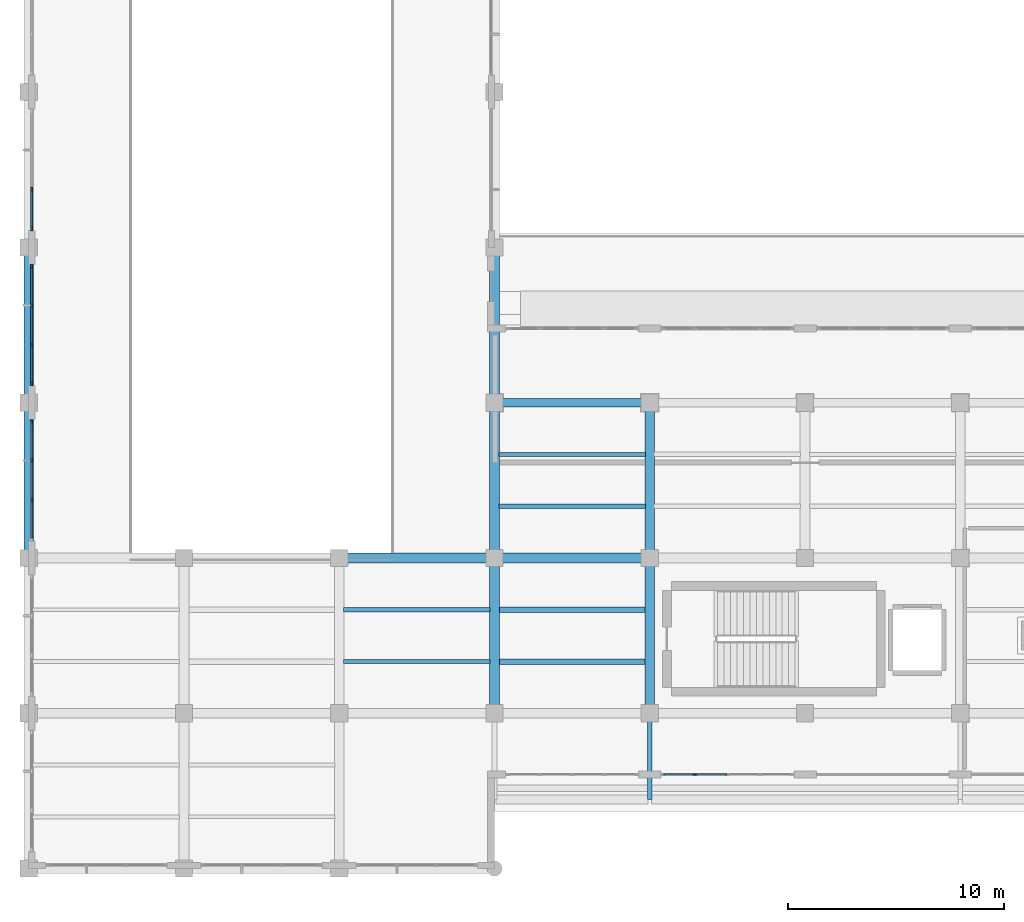
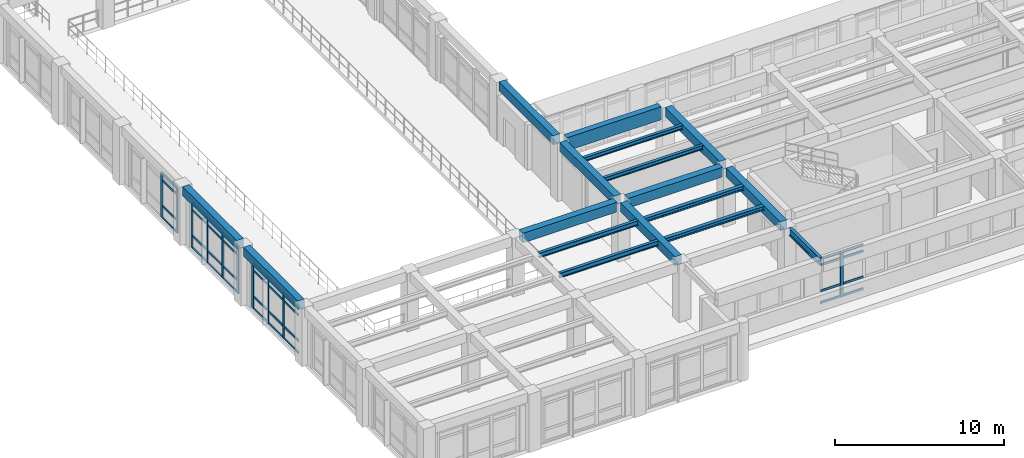
# One storey, part 4 of 67: 46 members, 17 beams, 4 elements without a shape of their own.
"""IFC4 building model written with IfcOpenShell, lengths in metres."""

import ifcopenshell
import ifcopenshell.guid

model = None  # the IFC model being written
_history = None  # IfcOwnerHistory: only IFC2X3 demands one
_inside = {}  # id of a spatial element -> (the spatial element, [elements in it])
_under = {}  # id of a project, library or spatial element -> (it, [spatial elements below it])
_declared = {}  # id of a project -> (the project, [libraries it declares])
_typed = {}  # id of a type object -> (the type object, [elements of that type])
_made_of = {}  # id of a material, layer set ... -> (it, [elements and type objects made of it])


def new_model(schema):
    """Start an empty IFC model of exactly this schema.

    Asked for "IFC4X3", IfcOpenShell would pick the latest addendum, in which some entities
    have other attributes; the version numbers below select the first issue.
    IFC2X3 requires an IfcOwnerHistory on every rooted entity: one is made here for all.
    """
    global model, _history
    if schema == "IFC4X3":
        model = ifcopenshell.file(schema_version=(4, 3, 0, 0))
    else:
        model = ifcopenshell.file(schema=schema)
    _inside.clear()
    _under.clear()
    _declared.clear()
    _typed.clear()
    _made_of.clear()
    _history = None
    if model.schema == "IFC2X3":
        org = make("IfcOrganization", Name="unknown")
        user = make(
            "IfcPersonAndOrganization",
            ThePerson=make("IfcPerson", FamilyName="unknown"),
            TheOrganization=org,
        )
        app = make(
            "IfcApplication",
            ApplicationDeveloper=org,
            Version="unknown",
            ApplicationFullName="unknown",
            ApplicationIdentifier="unknown",
        )
        _history = make(
            "IfcOwnerHistory",
            OwningUser=user,
            OwningApplication=app,
            ChangeAction="ADDED",
            CreationDate=0,
        )
    return model


def make(cls, **values):
    """One entity of the class cls with the attributes given. An attribute that is None is left unset."""
    return model.create_entity(
        cls, **{name: value for name, value in values.items() if value is not None}
    )


def rooted(cls, **values):
    """An entity with a GlobalId (a new one), such as an element, a storey or a relation."""
    return make(cls, GlobalId=ifcopenshell.guid.new(), OwnerHistory=_history, **values)


def si_unit(unit_type, name, prefix=None):
    """IfcSIUnit, for example si_unit("LENGTHUNIT", "METRE", prefix="MILLI")."""
    return make("IfcSIUnit", UnitType=unit_type, Prefix=prefix, Name=name)


def assignment(units):
    """IfcUnitAssignment: the units of a project."""
    return None if units is None else make("IfcUnitAssignment", Units=units)


def point(xyz):
    """IfcCartesianPoint."""
    return None if xyz is None else make("IfcCartesianPoint", Coordinates=xyz)


def direction(xyz):
    """IfcDirection."""
    return None if xyz is None else make("IfcDirection", DirectionRatios=xyz)


def frame(location, z_axis=None, x_axis=None):
    """IfcAxis2Placement3D, a coordinate frame: its origin and axes. An axis left out is left unset."""
    return make(
        "IfcAxis2Placement3D",
        Location=point(location),
        Axis=direction(z_axis),
        RefDirection=direction(x_axis),
    )


def frame_2d(location, x_axis=None):
    """IfcAxis2Placement2D, a coordinate frame in the plane: its origin and x axis."""
    return make(
        "IfcAxis2Placement2D", Location=point(location), RefDirection=direction(x_axis)
    )


def origin():
    """The frame at (0, 0, 0) with its axes left unset."""
    return frame((0.0, 0.0, 0.0))


def origin_2d():
    """The frame at (0, 0) in the plane with its x axis left unset."""
    return frame_2d((0.0, 0.0))


def place(relative_to, where):
    """IfcLocalPlacement: puts the frame where relative to a parent placement (None: the world)."""
    return make(
        "IfcLocalPlacement", PlacementRelTo=relative_to, RelativePlacement=where
    )


def context(
    kind, dimensions, precision=None, world=None, true_north=None, identifier=None
):
    """IfcGeometricRepresentationContext, for example the 3D "Model" context."""
    return make(
        "IfcGeometricRepresentationContext",
        ContextIdentifier=identifier,
        ContextType=kind,
        CoordinateSpaceDimension=dimensions,
        Precision=precision,
        WorldCoordinateSystem=world,
        TrueNorth=true_north,
    )


def subcontext(parent, identifier, kind, view, scale=None):
    """IfcGeometricRepresentationSubContext, for example "Body" below "Model"."""
    return make(
        "IfcGeometricRepresentationSubContext",
        ContextIdentifier=identifier,
        ContextType=kind,
        ParentContext=parent,
        TargetScale=scale,
        TargetView=view,
    )


def project(units=None, contexts=None):
    """IfcProject with its units and contexts."""
    return rooted(
        "IfcProject",
        Name="project",
        RepresentationContexts=contexts,
        UnitsInContext=assignment(units),
    )


def spatial(cls, under=None, at=None, **own):
    """A site, building, storey or space (cls), placed at a placement, below another one or the project."""
    s = rooted(cls, ObjectPlacement=at, **own)
    if under is not None:
        _under.setdefault(under.id(), (under, []))[1].append(s)
    return s


def profile(cls, at=None, kind="AREA", **sizes):
    """A parametric profile (cls). Its sizes go by their IFC names, for example OverallWidth=200.0."""
    return make(cls, ProfileType=kind, Position=at, **sizes)


def rectangle(**sizes):
    """IfcRectangleProfileDef."""
    return profile("IfcRectangleProfileDef", **sizes)


def i_section(**sizes):
    """IfcIShapeProfileDef."""
    return profile("IfcIShapeProfileDef", **sizes)


def extrude(swept, where, along, depth):
    """IfcExtrudedAreaSolid: the profile swept, set in the frame where, extruded along a direction by depth."""
    return make(
        "IfcExtrudedAreaSolid",
        SweptArea=swept,
        Position=where,
        ExtrudedDirection=direction(along),
        Depth=depth,
    )


def shape(context_of_items, identifier, shape_type, items):
    """IfcShapeRepresentation: the items that make up one representation, for example the "Body"."""
    return make(
        "IfcShapeRepresentation",
        ContextOfItems=context_of_items,
        RepresentationIdentifier=identifier,
        RepresentationType=shape_type,
        Items=items,
    )


def material(Name=None, Category=None):
    """IfcMaterial."""
    return make("IfcMaterial", Name=Name, Category=Category)


def layer(
    of_material, thickness, ventilated=None, Name=None, Category=None, Priority=None
):
    """IfcMaterialLayer: one layer of a wall or slab, of a material (None: an air gap)."""
    return make(
        "IfcMaterialLayer",
        Material=of_material,
        LayerThickness=thickness,
        IsVentilated=ventilated,
        Name=Name,
        Category=Category,
        Priority=Priority,
    )


def layer_set(layers, Name=None):
    """IfcMaterialLayerSet."""
    return make("IfcMaterialLayerSet", MaterialLayers=layers, LayerSetName=Name)


def material_profile(
    of_material, cross_section, Name=None, Category=None, Priority=None
):
    """IfcMaterialProfile: a cross section and its material."""
    return make(
        "IfcMaterialProfile",
        Name=Name,
        Material=of_material,
        Profile=cross_section,
        Priority=Priority,
        Category=Category,
    )


def profile_set(profiles, Name=None, composite=None):
    """IfcMaterialProfileSet."""
    return make(
        "IfcMaterialProfileSet",
        Name=Name,
        MaterialProfiles=profiles,
        CompositeProfile=composite,
    )


def made_of(thing, what):
    """Note that an element or type object is made of a material, layer set ...; save() writes the relation."""
    if what is not None:
        _made_of.setdefault(what.id(), (what, []))[1].append(thing)
    return thing


def type_object(cls, material=None, **own):
    """A type object (cls), such as IfcWallType, which elements share."""
    return made_of(rooted(cls, **own), material)


def element(
    cls,
    number,
    at=None,
    inside=None,
    cuts=None,
    type_object=None,
    material=None,
    context=None,
    identifier="Body",
    shape_type=None,
    held_by="IfcProductDefinitionShape",
    body=None,
    shapes=None,
    **own,
):
    """One element of the class cls, such as IfcWall. Its Tag is "e" and its number.

    at: its placement. inside: the storey or other place that contains it. cuts: it is an
    opening in that element (IfcRelVoidsElement). A single representation is given by context,
    identifier, shape_type and body (its items); several are given by shapes. held_by: the class
    of the entity that holds the representations. save() writes the other relations.
    """
    e = rooted(cls, Tag="e%d" % number, ObjectPlacement=at, **own)
    if body is not None:
        shapes = [shape(context, identifier, shape_type, body)]
    if shapes is not None:
        e.Representation = make(held_by, Representations=shapes)
    if inside is not None:
        _inside.setdefault(inside.id(), (inside, []))[1].append(e)
    if cuts is not None:
        rooted(
            "IfcRelVoidsElement", RelatingBuildingElement=cuts, RelatedOpeningElement=e
        )
    if type_object is not None:
        _typed.setdefault(type_object.id(), (type_object, []))[1].append(e)
    return made_of(e, material)


def aggregate(whole, parts):
    """IfcRelAggregates: a whole, such as a stair, and the parts it consists of."""
    return rooted("IfcRelAggregates", RelatingObject=whole, RelatedObjects=parts)


def save(model, path):
    """Write the relations noted so far, then the file.

    IfcRelAggregates (storeys below a building ...), IfcRelContainedInSpatialStructure (elements
    in a storey), IfcRelDefinesByType, IfcRelAssociatesMaterial and IfcRelDeclares: one each for
    every whole, place, type object, material and project.
    """
    for whole, parts in _under.values():
        aggregate(whole, parts)
    for where, things in _inside.values():
        rooted(
            "IfcRelContainedInSpatialStructure",
            RelatedElements=things,
            RelatingStructure=where,
        )
    for kind, things in _typed.values():
        rooted("IfcRelDefinesByType", RelatedObjects=things, RelatingType=kind)
    for what, things in _made_of.values():
        rooted("IfcRelAssociatesMaterial", RelatedObjects=things, RelatingMaterial=what)
    for by, libraries in _declared.values():
        rooted("IfcRelDeclares", RelatingContext=by, RelatedDefinitions=libraries)
    model.write(path)


model = new_model("IFC4")

# Units and contexts
model_context = context("Model", 3, precision=1e-05, world=origin(), true_north=direction((0.0, 1.0)))
body_context = subcontext(model_context, "Body", "Model", "MODEL_VIEW")
ifc_project = project(units=[si_unit("LENGTHUNIT", "METRE"), si_unit("AREAUNIT", "SQUARE_METRE"), si_unit("VOLUMEUNIT", "CUBIC_METRE"), si_unit("PLANEANGLEUNIT", "RADIAN"), si_unit("MASSUNIT", "GRAM", prefix="KILO")], contexts=[model_context])

# Site, building, storey
site_placement = place(None, origin())
site = spatial("IfcSite", under=ifc_project, at=site_placement, CompositionType="ELEMENT")
building_placement = place(site_placement, origin())
building = spatial("IfcBuilding", under=site, at=building_placement, Name="Solenvale Faculty of Natural Sciences", CompositionType="ELEMENT")
storey_placement = place(building_placement, frame((0.0, 0.0, 13.5)))
storey = spatial("IfcBuildingStorey", under=building, at=storey_placement, Name="L03", CompositionType="ELEMENT", Elevation=13.5)

# Beams
ifc_material_1 = material(Name="Concrete 40 MPa", Category="concrete")
ifc_material_profile_1 = material_profile(ifc_material_1, rectangle(XDim=0.449951171875, YDim=0.64990234375, at=origin_2d()), Name="RC-BM-450x650")
ifc_profile_set_1 = profile_set([ifc_material_profile_1], Name="Concrete 40 MPa")
beam_type_1 = type_object("IfcBeamType", Name="BM-RC-450x650", PredefinedType="BEAM", material=ifc_profile_set_1)
for number, where, z_axis, x_axis, name in (
    (1, (36.0, 29.179931640625, 3.89501953125), (0.0, 1.0, 0.0), (-1.0, 0.0, 0.0), "L03 Y-Girder X36.0 (28.8..36.0)"),
    (2, (36.0, 36.3798828125, 3.89501953125), (0.0, 1.0, 0.0), (-1.0, 0.0, 0.0), "L03 Y-Girder X36.0 (36.0..43.2)"),
):
    element("IfcBeam", number, at=place(storey_placement, frame(where, z_axis=z_axis, x_axis=x_axis)), inside=storey, type_object=beam_type_1, Name=name, PredefinedType="BEAM", context=body_context, shape_type="SweptSolid", body=[
        extrude(rectangle(XDim=0.449951171875, YDim=0.64990234375, at=origin_2d()), origin(), (0.0, 0.0, 1.0), 6.440185546875),
    ])
beam_1_placement = place(storey_placement, frame((57.60009765625, 21.97998046875, 3.89501953125), z_axis=(0.0, 1.0, 0.0), x_axis=(-1.0, 0.0, 0.0)))
element("IfcBeam", 3, at=beam_1_placement, inside=storey, type_object=beam_type_1, Name="L03 Y-Girder X57.6 (21.6..28.8)", PredefinedType="BEAM", context=body_context, shape_type="SweptSolid", body=[
    extrude(rectangle(XDim=0.449951171875, YDim=0.64990234375, at=origin_2d()), origin(), (0.0, 0.0, 1.0), 6.43994140625),
])
for number, where, z_axis, x_axis, name in (
    (4, (57.60009765625, 29.179931640625, 3.89501953125), (0.0, 1.0, 0.0), (-1.0, 0.0, 0.0), "L03 Y-Girder X57.6 (28.8..36.0)"),
    (5, (57.60009765625, 36.3798828125, 3.89501953125), (0.0, 1.0, 0.0), (-1.0, 0.0, 0.0), "L03 Y-Girder X57.6 (36.0..43.2)"),
):
    element("IfcBeam", number, at=place(storey_placement, frame(where, z_axis=z_axis, x_axis=x_axis)), inside=storey, type_object=beam_type_1, Name=name, PredefinedType="BEAM", context=body_context, shape_type="SweptSolid", body=[
        extrude(rectangle(XDim=0.449951171875, YDim=0.64990234375, at=origin_2d()), origin(), (0.0, 0.0, 1.0), 6.440185546875),
    ])
beam_2_placement = place(storey_placement, frame((64.800048828125, 21.97998046875, 3.89501953125), z_axis=(0.0, 1.0, 0.0), x_axis=(-1.0, 0.0, 0.0)))
element("IfcBeam", 6, at=beam_2_placement, inside=storey, type_object=beam_type_1, Name="L03 Y-Girder X64.8 (21.6..28.8)", PredefinedType="BEAM", context=body_context, shape_type="SweptSolid", body=[
    extrude(rectangle(XDim=0.449951171875, YDim=0.64990234375, at=origin_2d()), origin(), (0.0, 0.0, 1.0), 6.43994140625),
])
beam_3_placement = place(storey_placement, frame((64.800048828125, 29.179931640625, 3.89501953125), z_axis=(0.0, 1.0, 0.0), x_axis=(-1.0, 0.0, 0.0)))
element("IfcBeam", 7, at=beam_3_placement, inside=storey, type_object=beam_type_1, Name="L03 Y-Girder X64.8 (28.8..36.0)", PredefinedType="BEAM", context=body_context, shape_type="SweptSolid", body=[
    extrude(rectangle(XDim=0.449951171875, YDim=0.64990234375, at=origin_2d()), origin(), (0.0, 0.0, 1.0), 6.440185546875),
])
ifc_material_profile_2 = material_profile(ifc_material_1, rectangle(XDim=0.449951171875, YDim=0.699951171875, at=origin_2d()), Name="RC-BM-450x700")
ifc_profile_set_2 = profile_set([ifc_material_profile_2], Name="Concrete 40 MPa")
beam_type_2 = type_object("IfcBeamType", Name="BM-RC-450x700", PredefinedType="BEAM", material=ifc_profile_set_2)
for number, where, z_axis, x_axis, name in (
    (8, (50.780029296875, 28.800048828125, 3.8701171875), (1.0, 0.0, 0.0), (0.0, 1.0, 0.0), "L03 X-Girder Y28.8 (50.4..57.6)"),
    (9, (57.97998046875, 28.800048828125, 3.8701171875), (1.0, 0.0, 0.0), (0.0, 1.0, 0.0), "L03 X-Girder Y28.8 (57.6..64.8)"),
):
    element("IfcBeam", number, at=place(storey_placement, frame(where, z_axis=z_axis, x_axis=x_axis)), inside=storey, type_object=beam_type_2, Name=name, PredefinedType="BEAM", context=body_context, shape_type="SweptSolid", body=[
        extrude(rectangle(XDim=0.449951171875, YDim=0.699951171875, at=origin_2d()), origin(), (0.0, 0.0, 1.0), 6.43994140625),
    ])
ifc_material_2 = material(Name="Architectural bronze concrete 40 MPa", Category="concrete")
ifc_material_profile_3 = material_profile(ifc_material_2, rectangle(XDim=0.39990234375, YDim=0.949951171875, at=origin_2d()), Name="RC-SPN-400x950")
ifc_profile_set_3 = profile_set([ifc_material_profile_3], Name="Architectural bronze concrete 40 MPa")
beam_type_3 = type_object("IfcBeamType", Name="BM-SPN-BRZ-950", PredefinedType="SPANDREL", material=ifc_profile_set_3)
beam_4_placement = place(storey_placement, frame((57.97998046875, 36.0, 3.7451171875), z_axis=(1.0, 0.0, 0.0), x_axis=(0.0, 1.0, 0.0)))
element("IfcBeam", 10, at=beam_4_placement, inside=storey, type_object=beam_type_3, Name="L04 Sliding-Tray North Bronze Fascia 1", PredefinedType="SPANDREL", context=body_context, shape_type="SweptSolid", body=[
    extrude(rectangle(XDim=0.39990234375, YDim=0.949951171875, at=origin_2d()), origin(), (0.0, 0.0, 1.0), 6.43994140625),
])
ifc_material_3 = material(Name="Steel S355", Category="steel")
ifc_material_profile_4 = material_profile(ifc_material_3, i_section(OverallWidth=0.202880859375, OverallDepth=0.302978515625, WebThickness=0.007568359375, FlangeThickness=0.01318359375, FilletRadius=0.014892578125, at=origin_2d()), Name="W310x60")
ifc_profile_set_4 = profile_set([ifc_material_profile_4], Name="Steel S355")
beam_type_4 = type_object("IfcBeamType", Name="BM-STL-W310x60", PredefinedType="JOIST", material=ifc_profile_set_4)
for number, where, z_axis, x_axis, name in (
    (11, (57.804931640625, 31.199951171875, 4.068603515625), (1.0, 0.0, 0.0), (0.0, 1.0, 0.0), "L03 Composite Floor Joist (9,5).1"),
    (12, (57.804931640625, 33.60009765625, 4.068603515625), (1.0, 0.0, 0.0), (0.0, 1.0, 0.0), "L03 Composite Floor Joist (9,5).2"),
):
    element("IfcBeam", number, at=place(storey_placement, frame(where, z_axis=z_axis, x_axis=x_axis)), inside=storey, type_object=beam_type_4, Name=name, PredefinedType="JOIST", context=body_context, shape_type="SweptSolid", body=[
        extrude(i_section(OverallWidth=0.202880859375, OverallDepth=0.302978515625, WebThickness=0.007568359375, FlangeThickness=0.01318359375, FilletRadius=0.014892578125, at=origin_2d()), origin(), (0.0, 0.0, 1.0), 6.7900390625),
    ])
ifc_material_profile_5 = material_profile(ifc_material_3, i_section(OverallWidth=0.25390625, OverallDepth=0.305908203125, WebThickness=0.0087890625, FlangeThickness=0.0146484375, FilletRadius=0.014892578125, at=origin_2d()), Name="W310x79")
ifc_profile_set_5 = profile_set([ifc_material_profile_5], Name="Steel S355")
beam_type_5 = type_object("IfcBeamType", Name="BM-STL-W310x79", PredefinedType="JOIST", material=ifc_profile_set_5)
for number, where, z_axis, x_axis, name in (
    (13, (57.804931640625, 24.0, 4.06689453125), (1.0, 0.0, 0.0), (0.0, 1.0, 0.0), "L03 Composite Floor Joist (9,4).1"),
    (14, (57.804931640625, 26.39990234375, 4.06689453125), (1.0, 0.0, 0.0), (0.0, 1.0, 0.0), "L03 Composite Floor Joist (9,4).2"),
):
    element("IfcBeam", number, at=place(storey_placement, frame(where, z_axis=z_axis, x_axis=x_axis)), inside=storey, type_object=beam_type_5, Name=name, PredefinedType="JOIST", context=body_context, shape_type="SweptSolid", body=[
        extrude(i_section(OverallWidth=0.25390625, OverallDepth=0.305908203125, WebThickness=0.0087890625, FlangeThickness=0.0146484375, FilletRadius=0.014892578125, at=origin_2d()), origin(), (0.0, 0.0, 1.0), 6.7900390625),
    ])
ifc_material_profile_6 = material_profile(ifc_material_3, i_section(OverallWidth=0.2041015625, OverallDepth=0.35009765625, WebThickness=0.008544921875, FlangeThickness=0.01513671875, FilletRadius=0.014892578125, at=origin_2d()), Name="W360x72")
ifc_profile_set_6 = profile_set([ifc_material_profile_6], Name="Steel S355")
beam_type_6 = type_object("IfcBeamType", Name="BM-STL-W360x72", PredefinedType="JOIST", material=ifc_profile_set_6)
for number, where, z_axis, x_axis, name in (
    (15, (50.60498046875, 24.0, 4.044921875), (1.0, 0.0, 0.0), (0.0, 1.0, 0.0), "L03 Composite Floor Joist (8,4).1"),
    (16, (50.60498046875, 26.39990234375, 4.044921875), (1.0, 0.0, 0.0), (0.0, 1.0, 0.0), "L03 Composite Floor Joist (8,4).2"),
):
    element("IfcBeam", number, at=place(storey_placement, frame(where, z_axis=z_axis, x_axis=x_axis)), inside=storey, type_object=beam_type_6, Name=name, PredefinedType="JOIST", context=body_context, shape_type="SweptSolid", body=[
        extrude(i_section(OverallWidth=0.2041015625, OverallDepth=0.35009765625, WebThickness=0.008544921875, FlangeThickness=0.01513671875, FilletRadius=0.014892578125, at=origin_2d()), origin(), (0.0, 0.0, 1.0), 6.7900390625),
    ])
ifc_material_profile_7 = material_profile(ifc_material_3, i_section(OverallWidth=0.2119140625, OverallDepth=0.5439453125, WebThickness=0.01318359375, FlangeThickness=0.021240234375, FilletRadius=0.01904296875, at=origin_2d()), Name="W530x123")
ifc_profile_set_7 = profile_set([ifc_material_profile_7], Name="Steel S355")
beam_type_7 = type_object("IfcBeamType", Name="BM-STL-W530x123", PredefinedType="BEAM", material=ifc_profile_set_7)
beam_5_placement = place(storey_placement, frame((64.800048828125, 21.219970703125, 3.947998046875), z_axis=(0.0, -1.0, 0.0), x_axis=(1.0, 0.0, 0.0)))
element("IfcBeam", 17, at=beam_5_placement, inside=storey, type_object=beam_type_7, Name="L03 V4 Cantilever Tray Girder X64.8", PredefinedType="BEAM", context=body_context, shape_type="SweptSolid", body=[
    extrude(i_section(OverallWidth=0.2119140625, OverallDepth=0.5439453125, WebThickness=0.01318359375, FlangeThickness=0.021240234375, FilletRadius=0.01904296875, at=origin_2d()), origin(), (0.0, 0.0, 1.0), 3.619873046875),
])

# Curtain wall, members
ifc_material_4 = material(Name="Anodised bronze aluminium", Category="aluminium")
ifc_layer_1 = layer(ifc_material_4, 0.215087890625)
ifc_layer_set_1 = layer_set([ifc_layer_1], Name="Anodised bronze aluminium")
curtain_wall_type_1 = type_object("IfcCurtainWallType", Name="CW-ATR-UNIT", PredefinedType="USERDEFINED", material=ifc_layer_set_1)
curtain_wall_1_placement = place(storey_placement, origin())
curtain_wall_1 = element("IfcCurtainWall", 18, at=curtain_wall_1_placement, inside=storey, type_object=curtain_wall_type_1, Name="L03 Curtain Wall CW-L03-P1-E3-B7", ObjectType="UNITISED CURTAIN WALL", PredefinedType="USERDEFINED")
ifc_material_profile_8 = material_profile(ifc_material_4, rectangle(XDim=0.074951171875, YDim=0.2099609375, at=origin_2d()), Name="ALU-MUL-75x210")
ifc_profile_set_8 = profile_set([ifc_material_profile_8], Name="Anodised bronze aluminium")
member_type_1 = type_object("IfcMemberType", Name="CWM-ALU-75x210", PredefinedType="MULLION", material=ifc_profile_set_8)
member_1_placement = place(storey_placement, frame((36.142578125, 45.88330078125, 0.0), z_axis=(0.0, 0.0, 1.0), x_axis=(1.0, 0.0, 0.0)))
member_1 = element("IfcMember", 19, at=member_1_placement, type_object=member_type_1, Name="CW-01 mullion 3", PredefinedType="MULLION", context=body_context, shape_type="SweptSolid", body=[
    extrude(rectangle(XDim=0.074951171875, YDim=0.2099609375, at=origin_2d()), origin(), (0.0, 0.0, 1.0), 3.260009765625),
])
member_2_placement = place(storey_placement, frame((36.142578125, 44.08740234375, 0.0), z_axis=(0.0, 0.0, 1.0), x_axis=(1.0, 0.0, 0.0)))
member_2 = element("IfcMember", 20, at=member_2_placement, type_object=member_type_1, Name="CW-01 mullion 4", PredefinedType="MULLION", context=body_context, shape_type="SweptSolid", body=[
    extrude(rectangle(XDim=0.074951171875, YDim=0.2099609375, at=origin_2d()), origin(), (0.0, 0.0, 1.0), 3.260009765625),
])

curtain_wall_2_placement = place(storey_placement, origin())
curtain_wall_2 = element("IfcCurtainWall", 21, at=curtain_wall_2_placement, inside=storey, type_object=curtain_wall_type_1, Name="L03 Curtain Wall CW-L03-P1-E3-B8", ObjectType="UNITISED CURTAIN WALL", PredefinedType="USERDEFINED")
member_3_placement = place(storey_placement, frame((36.142578125, 42.3125, 0.0), z_axis=(0.0, 0.0, 1.0), x_axis=(1.0, 0.0, 0.0)))
member_3 = element("IfcMember", 22, at=member_3_placement, type_object=member_type_1, Name="CW-01 mullion 1", PredefinedType="MULLION", context=body_context, shape_type="SweptSolid", body=[
    extrude(rectangle(XDim=0.074951171875, YDim=0.2099609375, at=origin_2d()), origin(), (0.0, 0.0, 1.0), 3.260009765625),
])
member_4_placement = place(storey_placement, frame((36.142578125, 40.5166015625, 0.0), z_axis=(0.0, 0.0, 1.0), x_axis=(1.0, 0.0, 0.0)))
member_4 = element("IfcMember", 23, at=member_4_placement, type_object=member_type_1, Name="CW-01 mullion 2", PredefinedType="MULLION", context=body_context, shape_type="SweptSolid", body=[
    extrude(rectangle(XDim=0.074951171875, YDim=0.2099609375, at=origin_2d()), origin(), (0.0, 0.0, 1.0), 3.260009765625),
])
member_5_placement = place(storey_placement, frame((36.142578125, 38.683349609375, 0.0), z_axis=(0.0, 0.0, 1.0), x_axis=(1.0, 0.0, 0.0)))
member_5 = element("IfcMember", 24, at=member_5_placement, type_object=member_type_1, Name="CW-01 mullion 3", PredefinedType="MULLION", context=body_context, shape_type="SweptSolid", body=[
    extrude(rectangle(XDim=0.074951171875, YDim=0.2099609375, at=origin_2d()), origin(), (0.0, 0.0, 1.0), 3.260009765625),
])
member_6_placement = place(storey_placement, frame((36.142578125, 36.887451171875, 0.0), z_axis=(0.0, 0.0, 1.0), x_axis=(1.0, 0.0, 0.0)))
member_6 = element("IfcMember", 25, at=member_6_placement, type_object=member_type_1, Name="CW-01 mullion 4", PredefinedType="MULLION", context=body_context, shape_type="SweptSolid", body=[
    extrude(rectangle(XDim=0.074951171875, YDim=0.2099609375, at=origin_2d()), origin(), (0.0, 0.0, 1.0), 3.260009765625),
])

curtain_wall_3_placement = place(storey_placement, origin())
curtain_wall_3 = element("IfcCurtainWall", 26, at=curtain_wall_3_placement, inside=storey, type_object=curtain_wall_type_1, Name="L03 Curtain Wall CW-L03-P1-E3-B9", ObjectType="UNITISED CURTAIN WALL", PredefinedType="USERDEFINED")
member_7_placement = place(storey_placement, frame((36.142578125, 35.112548828125, 0.0), z_axis=(0.0, 0.0, 1.0), x_axis=(1.0, 0.0, 0.0)))
member_7 = element("IfcMember", 27, at=member_7_placement, type_object=member_type_1, Name="CW-01 mullion 1", PredefinedType="MULLION", context=body_context, shape_type="SweptSolid", body=[
    extrude(rectangle(XDim=0.074951171875, YDim=0.2099609375, at=origin_2d()), origin(), (0.0, 0.0, 1.0), 3.260009765625),
])
member_8_placement = place(storey_placement, frame((36.142578125, 33.316650390625, 0.0), z_axis=(0.0, 0.0, 1.0), x_axis=(1.0, 0.0, 0.0)))
member_8 = element("IfcMember", 28, at=member_8_placement, type_object=member_type_1, Name="CW-01 mullion 2", PredefinedType="MULLION", context=body_context, shape_type="SweptSolid", body=[
    extrude(rectangle(XDim=0.074951171875, YDim=0.2099609375, at=origin_2d()), origin(), (0.0, 0.0, 1.0), 3.260009765625),
])
member_9_placement = place(storey_placement, frame((36.142578125, 31.4833984375, 0.0), z_axis=(0.0, 0.0, 1.0), x_axis=(1.0, 0.0, 0.0)))
member_9 = element("IfcMember", 29, at=member_9_placement, type_object=member_type_1, Name="CW-01 mullion 3", PredefinedType="MULLION", context=body_context, shape_type="SweptSolid", body=[
    extrude(rectangle(XDim=0.074951171875, YDim=0.2099609375, at=origin_2d()), origin(), (0.0, 0.0, 1.0), 3.260009765625),
])

# Curtain wall, member
ifc_layer_2 = layer(ifc_material_4, 0.18994140625)
ifc_layer_set_2 = layer_set([ifc_layer_2], Name="Anodised bronze aluminium")
curtain_wall_type_2 = type_object("IfcCurtainWallType", Name="CW-TRAY-REC", PredefinedType="USERDEFINED", material=ifc_layer_set_2)
curtain_wall_4_placement = place(storey_placement, origin())
curtain_wall_4 = element("IfcCurtainWall", 30, at=curtain_wall_4_placement, inside=storey, type_object=curtain_wall_type_2, Name="L03 Curtain Wall CW-L03-P1-E6-B2", ObjectType="UNITISED CURTAIN WALL", PredefinedType="USERDEFINED")
member_10_placement = place(storey_placement, frame((66.889892578125, 18.762451171875, 0.0), z_axis=(0.0, 0.0, 1.0), x_axis=(0.0, 1.0, 0.0)))
member_10 = element("IfcMember", 31, at=member_10_placement, type_object=member_type_1, Name="CW-02 mullion 2", PredefinedType="MULLION", context=body_context, shape_type="SweptSolid", body=[
    extrude(rectangle(XDim=0.074951171875, YDim=0.2099609375, at=origin_2d()), origin(), (0.0, 0.0, 1.0), 3.260009765625),
])

# Member
ifc_material_profile_9 = material_profile(ifc_material_4, rectangle(XDim=0.074951171875, YDim=0.155029296875, at=origin_2d()), Name="ALU-TRN-75x155")
ifc_profile_set_9 = profile_set([ifc_material_profile_9], Name="Anodised bronze aluminium")
member_type_2 = type_object("IfcMemberType", Name="CWT-ALU-75x155", PredefinedType="USERDEFINED", material=ifc_profile_set_9)
member_11_placement = place(storey_placement, frame((36.142578125, 45.845947265625, 0.03759765625), z_axis=(0.0, -1.0, 0.0), x_axis=(1.0, 0.0, 0.0)))
member_11 = element("IfcMember", 32, at=member_11_placement, type_object=member_type_2, Name="CW-01 transom 3.1", ObjectType="TRANSOM", PredefinedType="USERDEFINED", context=body_context, shape_type="SweptSolid", body=[
    extrude(rectangle(XDim=0.074951171875, YDim=0.155029296875, at=origin_2d()), origin(), (0.0, 0.0, 1.0), 1.720947265625),
])

member_12_placement = place(storey_placement, frame((36.142578125, 45.845947265625, 0.89990234375), z_axis=(0.0, -1.0, 0.0), x_axis=(1.0, 0.0, 0.0)))
member_12 = element("IfcMember", 33, at=member_12_placement, type_object=member_type_2, Name="CW-01 transom 3.2", ObjectType="TRANSOM", PredefinedType="USERDEFINED", context=body_context, shape_type="SweptSolid", body=[
    extrude(rectangle(XDim=0.074951171875, YDim=0.155029296875, at=origin_2d()), origin(), (0.0, 0.0, 1.0), 1.720947265625),
])

member_13_placement = place(storey_placement, frame((36.142578125, 45.845947265625, 2.760009765625), z_axis=(0.0, -1.0, 0.0), x_axis=(1.0, 0.0, 0.0)))
member_13 = element("IfcMember", 34, at=member_13_placement, type_object=member_type_2, Name="CW-01 transom 3.3", ObjectType="TRANSOM", PredefinedType="USERDEFINED", context=body_context, shape_type="SweptSolid", body=[
    extrude(rectangle(XDim=0.074951171875, YDim=0.155029296875, at=origin_2d()), origin(), (0.0, 0.0, 1.0), 1.720947265625),
])

member_14_placement = place(storey_placement, frame((36.142578125, 45.845947265625, 3.222412109375), z_axis=(0.0, -1.0, 0.0), x_axis=(1.0, 0.0, 0.0)))
member_14 = element("IfcMember", 35, at=member_14_placement, type_object=member_type_2, Name="CW-01 transom 3.4", ObjectType="TRANSOM", PredefinedType="USERDEFINED", context=body_context, shape_type="SweptSolid", body=[
    extrude(rectangle(XDim=0.074951171875, YDim=0.155029296875, at=origin_2d()), origin(), (0.0, 0.0, 1.0), 1.720947265625),
])

aggregate(curtain_wall_1, [member_1, member_2, member_11, member_12, member_13, member_14])

member_15_placement = place(storey_placement, frame((36.142578125, 42.27490234375, 0.03759765625), z_axis=(0.0, -1.0, 0.0), x_axis=(1.0, 0.0, 0.0)))
member_15 = element("IfcMember", 36, at=member_15_placement, type_object=member_type_2, Name="CW-01 transom 1.1", ObjectType="TRANSOM", PredefinedType="USERDEFINED", context=body_context, shape_type="SweptSolid", body=[
    extrude(rectangle(XDim=0.074951171875, YDim=0.155029296875, at=origin_2d()), origin(), (0.0, 0.0, 1.0), 1.720703125),
])

member_16_placement = place(storey_placement, frame((36.142578125, 42.27490234375, 0.89990234375), z_axis=(0.0, -1.0, 0.0), x_axis=(1.0, 0.0, 0.0)))
member_16 = element("IfcMember", 37, at=member_16_placement, type_object=member_type_2, Name="CW-01 transom 1.2", ObjectType="TRANSOM", PredefinedType="USERDEFINED", context=body_context, shape_type="SweptSolid", body=[
    extrude(rectangle(XDim=0.074951171875, YDim=0.155029296875, at=origin_2d()), origin(), (0.0, 0.0, 1.0), 1.720703125),
])

member_17_placement = place(storey_placement, frame((36.142578125, 42.27490234375, 2.760009765625), z_axis=(0.0, -1.0, 0.0), x_axis=(1.0, 0.0, 0.0)))
member_17 = element("IfcMember", 38, at=member_17_placement, type_object=member_type_2, Name="CW-01 transom 1.3", ObjectType="TRANSOM", PredefinedType="USERDEFINED", context=body_context, shape_type="SweptSolid", body=[
    extrude(rectangle(XDim=0.074951171875, YDim=0.155029296875, at=origin_2d()), origin(), (0.0, 0.0, 1.0), 1.720703125),
])

member_18_placement = place(storey_placement, frame((36.142578125, 42.27490234375, 3.222412109375), z_axis=(0.0, -1.0, 0.0), x_axis=(1.0, 0.0, 0.0)))
member_18 = element("IfcMember", 39, at=member_18_placement, type_object=member_type_2, Name="CW-01 transom 1.4", ObjectType="TRANSOM", PredefinedType="USERDEFINED", context=body_context, shape_type="SweptSolid", body=[
    extrude(rectangle(XDim=0.074951171875, YDim=0.155029296875, at=origin_2d()), origin(), (0.0, 0.0, 1.0), 1.720703125),
])

member_19_placement = place(storey_placement, frame((36.142578125, 40.479248046875, 0.03759765625), z_axis=(0.0, -1.0, 0.0), x_axis=(1.0, 0.0, 0.0)))
member_19 = element("IfcMember", 40, at=member_19_placement, type_object=member_type_2, Name="CW-01 transom 2.1", ObjectType="TRANSOM", PredefinedType="USERDEFINED", context=body_context, shape_type="SweptSolid", body=[
    extrude(rectangle(XDim=0.074951171875, YDim=0.155029296875, at=origin_2d()), origin(), (0.0, 0.0, 1.0), 1.75830078125),
])

member_20_placement = place(storey_placement, frame((36.142578125, 40.479248046875, 0.89990234375), z_axis=(0.0, -1.0, 0.0), x_axis=(1.0, 0.0, 0.0)))
member_20 = element("IfcMember", 41, at=member_20_placement, type_object=member_type_2, Name="CW-01 transom 2.2", ObjectType="TRANSOM", PredefinedType="USERDEFINED", context=body_context, shape_type="SweptSolid", body=[
    extrude(rectangle(XDim=0.074951171875, YDim=0.155029296875, at=origin_2d()), origin(), (0.0, 0.0, 1.0), 1.75830078125),
])

member_21_placement = place(storey_placement, frame((36.142578125, 40.479248046875, 2.760009765625), z_axis=(0.0, -1.0, 0.0), x_axis=(1.0, 0.0, 0.0)))
member_21 = element("IfcMember", 42, at=member_21_placement, type_object=member_type_2, Name="CW-01 transom 2.3", ObjectType="TRANSOM", PredefinedType="USERDEFINED", context=body_context, shape_type="SweptSolid", body=[
    extrude(rectangle(XDim=0.074951171875, YDim=0.155029296875, at=origin_2d()), origin(), (0.0, 0.0, 1.0), 1.75830078125),
])

member_22_placement = place(storey_placement, frame((36.142578125, 40.479248046875, 3.222412109375), z_axis=(0.0, -1.0, 0.0), x_axis=(1.0, 0.0, 0.0)))
member_22 = element("IfcMember", 43, at=member_22_placement, type_object=member_type_2, Name="CW-01 transom 2.4", ObjectType="TRANSOM", PredefinedType="USERDEFINED", context=body_context, shape_type="SweptSolid", body=[
    extrude(rectangle(XDim=0.074951171875, YDim=0.155029296875, at=origin_2d()), origin(), (0.0, 0.0, 1.0), 1.75830078125),
])

member_23_placement = place(storey_placement, frame((36.142578125, 38.645751953125, 0.03759765625), z_axis=(0.0, -1.0, 0.0), x_axis=(1.0, 0.0, 0.0)))
member_23 = element("IfcMember", 44, at=member_23_placement, type_object=member_type_2, Name="CW-01 transom 3.1", ObjectType="TRANSOM", PredefinedType="USERDEFINED", context=body_context, shape_type="SweptSolid", body=[
    extrude(rectangle(XDim=0.074951171875, YDim=0.155029296875, at=origin_2d()), origin(), (0.0, 0.0, 1.0), 1.720703125),
])

member_24_placement = place(storey_placement, frame((36.142578125, 38.645751953125, 0.89990234375), z_axis=(0.0, -1.0, 0.0), x_axis=(1.0, 0.0, 0.0)))
member_24 = element("IfcMember", 45, at=member_24_placement, type_object=member_type_2, Name="CW-01 transom 3.2", ObjectType="TRANSOM", PredefinedType="USERDEFINED", context=body_context, shape_type="SweptSolid", body=[
    extrude(rectangle(XDim=0.074951171875, YDim=0.155029296875, at=origin_2d()), origin(), (0.0, 0.0, 1.0), 1.720703125),
])

member_25_placement = place(storey_placement, frame((36.142578125, 38.645751953125, 2.760009765625), z_axis=(0.0, -1.0, 0.0), x_axis=(1.0, 0.0, 0.0)))
member_25 = element("IfcMember", 46, at=member_25_placement, type_object=member_type_2, Name="CW-01 transom 3.3", ObjectType="TRANSOM", PredefinedType="USERDEFINED", context=body_context, shape_type="SweptSolid", body=[
    extrude(rectangle(XDim=0.074951171875, YDim=0.155029296875, at=origin_2d()), origin(), (0.0, 0.0, 1.0), 1.720703125),
])

member_26_placement = place(storey_placement, frame((36.142578125, 38.645751953125, 3.222412109375), z_axis=(0.0, -1.0, 0.0), x_axis=(1.0, 0.0, 0.0)))
member_26 = element("IfcMember", 47, at=member_26_placement, type_object=member_type_2, Name="CW-01 transom 3.4", ObjectType="TRANSOM", PredefinedType="USERDEFINED", context=body_context, shape_type="SweptSolid", body=[
    extrude(rectangle(XDim=0.074951171875, YDim=0.155029296875, at=origin_2d()), origin(), (0.0, 0.0, 1.0), 1.720703125),
])

aggregate(curtain_wall_2, [member_3, member_4, member_5, member_6, member_15, member_16, member_17, member_18, member_19, member_20, member_21, member_22, member_23, member_24, member_25, member_26])

member_27_placement = place(storey_placement, frame((36.142578125, 35.074951171875, 0.03759765625), z_axis=(0.0, -1.0, 0.0), x_axis=(1.0, 0.0, 0.0)))
member_27 = element("IfcMember", 48, at=member_27_placement, type_object=member_type_2, Name="CW-01 transom 1.1", ObjectType="TRANSOM", PredefinedType="USERDEFINED", context=body_context, shape_type="SweptSolid", body=[
    extrude(rectangle(XDim=0.074951171875, YDim=0.155029296875, at=origin_2d()), origin(), (0.0, 0.0, 1.0), 1.720703125),
])

member_28_placement = place(storey_placement, frame((36.142578125, 35.074951171875, 0.89990234375), z_axis=(0.0, -1.0, 0.0), x_axis=(1.0, 0.0, 0.0)))
member_28 = element("IfcMember", 49, at=member_28_placement, type_object=member_type_2, Name="CW-01 transom 1.2", ObjectType="TRANSOM", PredefinedType="USERDEFINED", context=body_context, shape_type="SweptSolid", body=[
    extrude(rectangle(XDim=0.074951171875, YDim=0.155029296875, at=origin_2d()), origin(), (0.0, 0.0, 1.0), 1.720703125),
])

member_29_placement = place(storey_placement, frame((36.142578125, 35.074951171875, 2.760009765625), z_axis=(0.0, -1.0, 0.0), x_axis=(1.0, 0.0, 0.0)))
member_29 = element("IfcMember", 50, at=member_29_placement, type_object=member_type_2, Name="CW-01 transom 1.3", ObjectType="TRANSOM", PredefinedType="USERDEFINED", context=body_context, shape_type="SweptSolid", body=[
    extrude(rectangle(XDim=0.074951171875, YDim=0.155029296875, at=origin_2d()), origin(), (0.0, 0.0, 1.0), 1.720703125),
])

member_30_placement = place(storey_placement, frame((36.142578125, 35.074951171875, 3.222412109375), z_axis=(0.0, -1.0, 0.0), x_axis=(1.0, 0.0, 0.0)))
member_30 = element("IfcMember", 51, at=member_30_placement, type_object=member_type_2, Name="CW-01 transom 1.4", ObjectType="TRANSOM", PredefinedType="USERDEFINED", context=body_context, shape_type="SweptSolid", body=[
    extrude(rectangle(XDim=0.074951171875, YDim=0.155029296875, at=origin_2d()), origin(), (0.0, 0.0, 1.0), 1.720703125),
])

member_31_placement = place(storey_placement, frame((36.142578125, 33.279052734375, 0.03759765625), z_axis=(0.0, -1.0, 0.0), x_axis=(1.0, 0.0, 0.0)))
member_31 = element("IfcMember", 52, at=member_31_placement, type_object=member_type_2, Name="CW-01 transom 2.1", ObjectType="TRANSOM", PredefinedType="USERDEFINED", context=body_context, shape_type="SweptSolid", body=[
    extrude(rectangle(XDim=0.074951171875, YDim=0.155029296875, at=origin_2d()), origin(), (0.0, 0.0, 1.0), 1.75830078125),
])

member_32_placement = place(storey_placement, frame((36.142578125, 33.279052734375, 0.89990234375), z_axis=(0.0, -1.0, 0.0), x_axis=(1.0, 0.0, 0.0)))
member_32 = element("IfcMember", 53, at=member_32_placement, type_object=member_type_2, Name="CW-01 transom 2.2", ObjectType="TRANSOM", PredefinedType="USERDEFINED", context=body_context, shape_type="SweptSolid", body=[
    extrude(rectangle(XDim=0.074951171875, YDim=0.155029296875, at=origin_2d()), origin(), (0.0, 0.0, 1.0), 1.75830078125),
])

member_33_placement = place(storey_placement, frame((36.142578125, 33.279052734375, 2.760009765625), z_axis=(0.0, -1.0, 0.0), x_axis=(1.0, 0.0, 0.0)))
member_33 = element("IfcMember", 54, at=member_33_placement, type_object=member_type_2, Name="CW-01 transom 2.3", ObjectType="TRANSOM", PredefinedType="USERDEFINED", context=body_context, shape_type="SweptSolid", body=[
    extrude(rectangle(XDim=0.074951171875, YDim=0.155029296875, at=origin_2d()), origin(), (0.0, 0.0, 1.0), 1.75830078125),
])

member_34_placement = place(storey_placement, frame((36.142578125, 33.279052734375, 3.222412109375), z_axis=(0.0, -1.0, 0.0), x_axis=(1.0, 0.0, 0.0)))
member_34 = element("IfcMember", 55, at=member_34_placement, type_object=member_type_2, Name="CW-01 transom 2.4", ObjectType="TRANSOM", PredefinedType="USERDEFINED", context=body_context, shape_type="SweptSolid", body=[
    extrude(rectangle(XDim=0.074951171875, YDim=0.155029296875, at=origin_2d()), origin(), (0.0, 0.0, 1.0), 1.75830078125),
])

member_35_placement = place(storey_placement, frame((36.142578125, 31.44580078125, 0.03759765625), z_axis=(0.0, -1.0, 0.0), x_axis=(1.0, 0.0, 0.0)))
member_35 = element("IfcMember", 56, at=member_35_placement, type_object=member_type_2, Name="CW-01 transom 3.1", ObjectType="TRANSOM", PredefinedType="USERDEFINED", context=body_context, shape_type="SweptSolid", body=[
    extrude(rectangle(XDim=0.074951171875, YDim=0.155029296875, at=origin_2d()), origin(), (0.0, 0.0, 1.0), 1.720703125),
])

member_36_placement = place(storey_placement, frame((36.142578125, 31.44580078125, 0.89990234375), z_axis=(0.0, -1.0, 0.0), x_axis=(1.0, 0.0, 0.0)))
member_36 = element("IfcMember", 57, at=member_36_placement, type_object=member_type_2, Name="CW-01 transom 3.2", ObjectType="TRANSOM", PredefinedType="USERDEFINED", context=body_context, shape_type="SweptSolid", body=[
    extrude(rectangle(XDim=0.074951171875, YDim=0.155029296875, at=origin_2d()), origin(), (0.0, 0.0, 1.0), 1.720703125),
])

member_37_placement = place(storey_placement, frame((36.142578125, 31.44580078125, 2.760009765625), z_axis=(0.0, -1.0, 0.0), x_axis=(1.0, 0.0, 0.0)))
member_37 = element("IfcMember", 58, at=member_37_placement, type_object=member_type_2, Name="CW-01 transom 3.3", ObjectType="TRANSOM", PredefinedType="USERDEFINED", context=body_context, shape_type="SweptSolid", body=[
    extrude(rectangle(XDim=0.074951171875, YDim=0.155029296875, at=origin_2d()), origin(), (0.0, 0.0, 1.0), 1.720703125),
])

member_38_placement = place(storey_placement, frame((36.142578125, 31.44580078125, 3.222412109375), z_axis=(0.0, -1.0, 0.0), x_axis=(1.0, 0.0, 0.0)))
member_38 = element("IfcMember", 59, at=member_38_placement, type_object=member_type_2, Name="CW-01 transom 3.4", ObjectType="TRANSOM", PredefinedType="USERDEFINED", context=body_context, shape_type="SweptSolid", body=[
    extrude(rectangle(XDim=0.074951171875, YDim=0.155029296875, at=origin_2d()), origin(), (0.0, 0.0, 1.0), 1.720703125),
])

aggregate(curtain_wall_3, [member_7, member_8, member_9, member_27, member_28, member_29, member_30, member_31, member_32, member_33, member_34, member_35, member_36, member_37, member_38])

member_39_placement = place(storey_placement, frame((65.455078125, 18.762451171875, 0.03759765625), z_axis=(1.0, 0.0, 0.0), x_axis=(0.0, 1.0, 0.0)))
member_39 = element("IfcMember", 60, at=member_39_placement, type_object=member_type_2, Name="CW-02 transom 1.1", ObjectType="TRANSOM", PredefinedType="USERDEFINED", context=body_context, shape_type="SweptSolid", body=[
    extrude(rectangle(XDim=0.074951171875, YDim=0.155029296875, at=origin_2d()), origin(), (0.0, 0.0, 1.0), 1.3974609375),
])

member_40_placement = place(storey_placement, frame((65.455078125, 18.762451171875, 0.89990234375), z_axis=(1.0, 0.0, 0.0), x_axis=(0.0, 1.0, 0.0)))
member_40 = element("IfcMember", 61, at=member_40_placement, type_object=member_type_2, Name="CW-02 transom 1.2", ObjectType="TRANSOM", PredefinedType="USERDEFINED", context=body_context, shape_type="SweptSolid", body=[
    extrude(rectangle(XDim=0.074951171875, YDim=0.155029296875, at=origin_2d()), origin(), (0.0, 0.0, 1.0), 1.3974609375),
])

member_41_placement = place(storey_placement, frame((65.455078125, 18.762451171875, 2.760009765625), z_axis=(1.0, 0.0, 0.0), x_axis=(0.0, 1.0, 0.0)))
member_41 = element("IfcMember", 62, at=member_41_placement, type_object=member_type_2, Name="CW-02 transom 1.3", ObjectType="TRANSOM", PredefinedType="USERDEFINED", context=body_context, shape_type="SweptSolid", body=[
    extrude(rectangle(XDim=0.074951171875, YDim=0.155029296875, at=origin_2d()), origin(), (0.0, 0.0, 1.0), 1.3974609375),
])

member_42_placement = place(storey_placement, frame((65.455078125, 18.762451171875, 3.222412109375), z_axis=(1.0, 0.0, 0.0), x_axis=(0.0, 1.0, 0.0)))
member_42 = element("IfcMember", 63, at=member_42_placement, type_object=member_type_2, Name="CW-02 transom 1.4", ObjectType="TRANSOM", PredefinedType="USERDEFINED", context=body_context, shape_type="SweptSolid", body=[
    extrude(rectangle(XDim=0.074951171875, YDim=0.155029296875, at=origin_2d()), origin(), (0.0, 0.0, 1.0), 1.3974609375),
])

member_43_placement = place(storey_placement, frame((66.927490234375, 18.762451171875, 0.03759765625), z_axis=(1.0, 0.0, 0.0), x_axis=(0.0, 1.0, 0.0)))
member_43 = element("IfcMember", 64, at=member_43_placement, type_object=member_type_2, Name="CW-02 transom 2.1", ObjectType="TRANSOM", PredefinedType="USERDEFINED", context=body_context, shape_type="SweptSolid", body=[
    extrude(rectangle(XDim=0.074951171875, YDim=0.155029296875, at=origin_2d()), origin(), (0.0, 0.0, 1.0), 1.43505859375),
])

member_44_placement = place(storey_placement, frame((66.927490234375, 18.762451171875, 0.89990234375), z_axis=(1.0, 0.0, 0.0), x_axis=(0.0, 1.0, 0.0)))
member_44 = element("IfcMember", 65, at=member_44_placement, type_object=member_type_2, Name="CW-02 transom 2.2", ObjectType="TRANSOM", PredefinedType="USERDEFINED", context=body_context, shape_type="SweptSolid", body=[
    extrude(rectangle(XDim=0.074951171875, YDim=0.155029296875, at=origin_2d()), origin(), (0.0, 0.0, 1.0), 1.43505859375),
])

member_45_placement = place(storey_placement, frame((66.927490234375, 18.762451171875, 2.760009765625), z_axis=(1.0, 0.0, 0.0), x_axis=(0.0, 1.0, 0.0)))
member_45 = element("IfcMember", 66, at=member_45_placement, type_object=member_type_2, Name="CW-02 transom 2.3", ObjectType="TRANSOM", PredefinedType="USERDEFINED", context=body_context, shape_type="SweptSolid", body=[
    extrude(rectangle(XDim=0.074951171875, YDim=0.155029296875, at=origin_2d()), origin(), (0.0, 0.0, 1.0), 1.43505859375),
])

member_46_placement = place(storey_placement, frame((66.927490234375, 18.762451171875, 3.222412109375), z_axis=(1.0, 0.0, 0.0), x_axis=(0.0, 1.0, 0.0)))
member_46 = element("IfcMember", 67, at=member_46_placement, type_object=member_type_2, Name="CW-02 transom 2.4", ObjectType="TRANSOM", PredefinedType="USERDEFINED", context=body_context, shape_type="SweptSolid", body=[
    extrude(rectangle(XDim=0.074951171875, YDim=0.155029296875, at=origin_2d()), origin(), (0.0, 0.0, 1.0), 1.43505859375),
])

aggregate(curtain_wall_4, [member_10, member_39, member_40, member_41, member_42, member_43, member_44, member_45, member_46])

save(model, "model.ifc")
